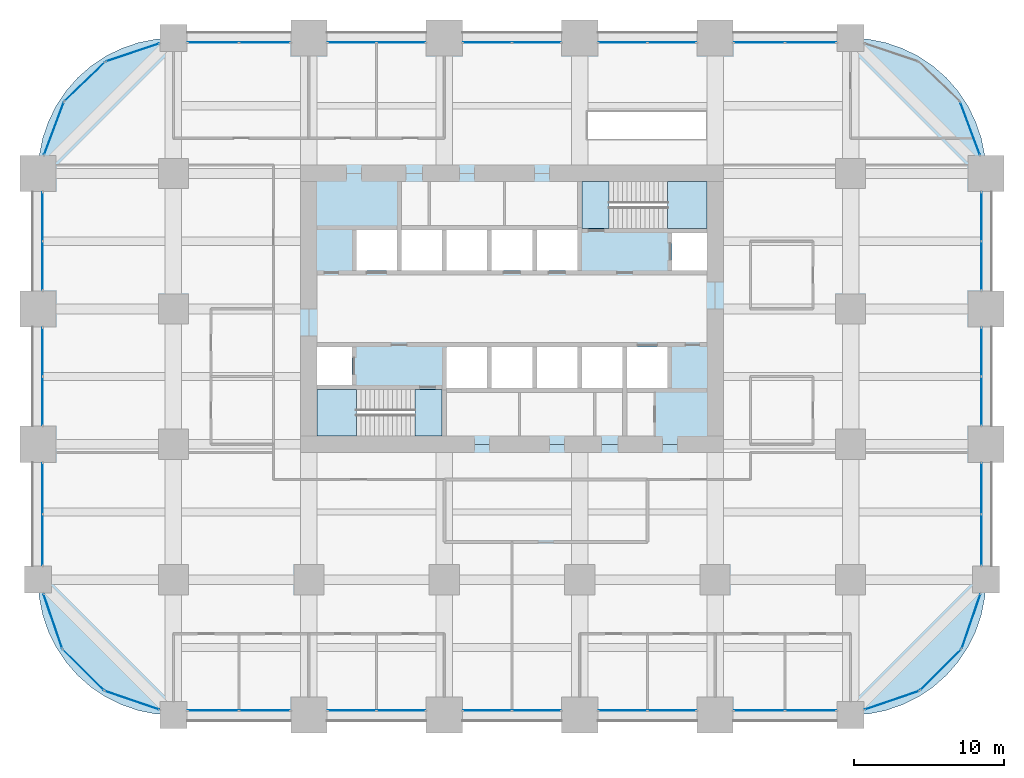
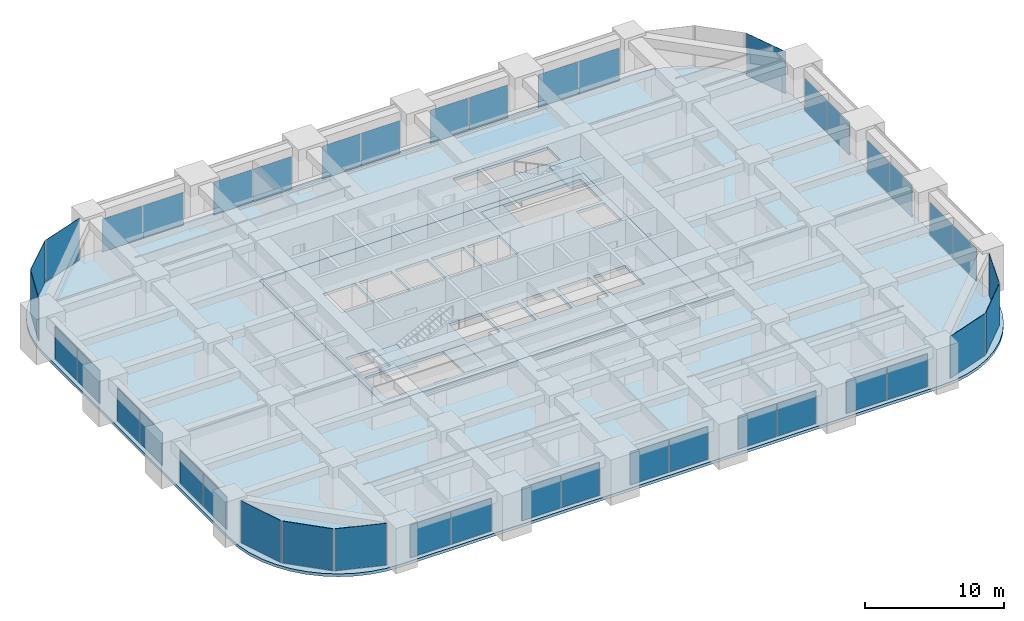
# One storey, part 35 of 41: 42 plates, 6 slabs, 28 elements without a shape of their own.
"""IFC4 building model written with IfcOpenShell, lengths in metres."""

from ifc_helpers import new_model, si_unit, direction, frame, origin, origin_2d, place, context, subcontext, project, spatial, polyline, rectangle, outline, extrude, material, layer, layer_set, type_object, element, aggregate, save


model = new_model("IFC4")

# Units and contexts
model_context = context("Model", 3, precision=1e-05, world=origin(), true_north=direction((0.0, 1.0)))
body_context = subcontext(model_context, "Body", "Model", "MODEL_VIEW")
ifc_project = project(units=[si_unit("LENGTHUNIT", "METRE"), si_unit("AREAUNIT", "SQUARE_METRE"), si_unit("VOLUMEUNIT", "CUBIC_METRE"), si_unit("PLANEANGLEUNIT", "RADIAN"), si_unit("MASSUNIT", "GRAM", prefix="KILO")], contexts=[model_context])

# Site, building, storey
site_placement = place(None, origin())
site = spatial("IfcSite", under=ifc_project, at=site_placement, CompositionType="ELEMENT")
building_placement = place(site_placement, origin())
building = spatial("IfcBuilding", under=site, at=building_placement, Name="Zorevar Civic Tower", CompositionType="ELEMENT")
storey_placement = place(building_placement, frame((0.0, 0.0, 101.0)))
storey = spatial("IfcBuildingStorey", under=building, at=storey_placement, Name="L24", CompositionType="ELEMENT", Elevation=101.0)

# Curtain wall, plates
ifc_material_1 = material(Name="Dark grey solar-control glass in black aluminium frame", Category="aluminium")
curtain_wall_type = type_object("IfcCurtainWallType", Name="Curtain wall CW3 mid zone", PredefinedType="NOTDEFINED", material=ifc_material_1)
curtain_wall_1_placement = place(storey_placement, origin())
curtain_wall_1 = element("IfcCurtainWall", 1, at=curtain_wall_1_placement, inside=storey, type_object=curtain_wall_type, Name="CW3 L24", PredefinedType="NOTDEFINED")
ifc_material_2 = material(Name="Dark grey solar-control glass", Category="glass")
ifc_layer_1 = layer(ifc_material_2, 0.030029296875)
ifc_layer_set_1 = layer_set([ifc_layer_1], Name="CW3 panel 30")
plate_type = type_object("IfcPlateType", Name="CW3 panel 30", PredefinedType="CURTAIN_PANEL", material=ifc_layer_set_1)
plate_1_placement = place(storey_placement, frame((11.639892578125, 0.300048828125, 0.06005859375), z_axis=(0.0, 0.0, 1.0), x_axis=(1.0, 0.0, 0.0)))
plate_1 = element("IfcPlate", 2, at=plate_1_placement, type_object=plate_type, Name="CW3 panel 1.1", PredefinedType="CURTAIN_PANEL", context=body_context, shape_type="SweptSolid", body=[
    extrude(rectangle(XDim=3.360107421875, YDim=0.030029296875, at=origin_2d()), origin(), (0.0, 0.0, 1.0), 2.889892578125),
])
plate_2_placement = place(storey_placement, frame((15.06005859375, 0.300048828125, 0.06005859375), z_axis=(0.0, 0.0, 1.0), x_axis=(1.0, 0.0, 0.0)))
plate_2 = element("IfcPlate", 3, at=plate_2_placement, type_object=plate_type, Name="CW3 panel 2.1", PredefinedType="CURTAIN_PANEL", context=body_context, shape_type="SweptSolid", body=[
    extrude(rectangle(XDim=3.360107421875, YDim=0.030029296875, at=origin_2d()), origin(), (0.0, 0.0, 1.0), 2.889892578125),
])
aggregate(curtain_wall_1, [plate_1, plate_2])

curtain_wall_2_placement = place(storey_placement, origin())
curtain_wall_2 = element("IfcCurtainWall", 4, at=curtain_wall_2_placement, inside=storey, type_object=curtain_wall_type, Name="CW3 L24", PredefinedType="NOTDEFINED")
plate_3_placement = place(storey_placement, frame((11.639892578125, 44.699951171875, 0.06005859375), z_axis=(0.0, 0.0, 1.0), x_axis=(1.0, 0.0, 0.0)))
plate_3 = element("IfcPlate", 5, at=plate_3_placement, type_object=plate_type, Name="CW3 panel 1.1", PredefinedType="CURTAIN_PANEL", context=body_context, shape_type="SweptSolid", body=[
    extrude(rectangle(XDim=3.360107421875, YDim=0.030029296875, at=origin_2d()), origin(), (0.0, 0.0, 1.0), 2.889892578125),
])
plate_4_placement = place(storey_placement, frame((15.06005859375, 44.699951171875, 0.06005859375), z_axis=(0.0, 0.0, 1.0), x_axis=(1.0, 0.0, 0.0)))
plate_4 = element("IfcPlate", 6, at=plate_4_placement, type_object=plate_type, Name="CW3 panel 2.1", PredefinedType="CURTAIN_PANEL", context=body_context, shape_type="SweptSolid", body=[
    extrude(rectangle(XDim=3.360107421875, YDim=0.030029296875, at=origin_2d()), origin(), (0.0, 0.0, 1.0), 2.889892578125),
])
aggregate(curtain_wall_2, [plate_3, plate_4])

curtain_wall_3_placement = place(storey_placement, origin())
curtain_wall_3 = element("IfcCurtainWall", 7, at=curtain_wall_3_placement, inside=storey, type_object=curtain_wall_type, Name="CW3 L24", PredefinedType="NOTDEFINED")
plate_5_placement = place(storey_placement, frame((20.864990234375, 0.300048828125, 0.06005859375), z_axis=(0.0, 0.0, 1.0), x_axis=(1.0, 0.0, 0.0)))
plate_5 = element("IfcPlate", 8, at=plate_5_placement, type_object=plate_type, Name="CW3 panel 1.1", PredefinedType="CURTAIN_PANEL", context=body_context, shape_type="SweptSolid", body=[
    extrude(rectangle(XDim=3.2099609375, YDim=0.030029296875, at=origin_2d()), origin(), (0.0, 0.0, 1.0), 2.889892578125),
])
plate_6_placement = place(storey_placement, frame((24.135009765625, 0.300048828125, 0.06005859375), z_axis=(0.0, 0.0, 1.0), x_axis=(1.0, 0.0, 0.0)))
plate_6 = element("IfcPlate", 9, at=plate_6_placement, type_object=plate_type, Name="CW3 panel 2.1", PredefinedType="CURTAIN_PANEL", context=body_context, shape_type="SweptSolid", body=[
    extrude(rectangle(XDim=3.2099609375, YDim=0.030029296875, at=origin_2d()), origin(), (0.0, 0.0, 1.0), 2.889892578125),
])
aggregate(curtain_wall_3, [plate_5, plate_6])

curtain_wall_4_placement = place(storey_placement, origin())
curtain_wall_4 = element("IfcCurtainWall", 10, at=curtain_wall_4_placement, inside=storey, type_object=curtain_wall_type, Name="CW3 L24", PredefinedType="NOTDEFINED")
plate_7_placement = place(storey_placement, frame((20.864990234375, 44.699951171875, 0.06005859375), z_axis=(0.0, 0.0, 1.0), x_axis=(1.0, 0.0, 0.0)))
plate_7 = element("IfcPlate", 11, at=plate_7_placement, type_object=plate_type, Name="CW3 panel 1.1", PredefinedType="CURTAIN_PANEL", context=body_context, shape_type="SweptSolid", body=[
    extrude(rectangle(XDim=3.2099609375, YDim=0.030029296875, at=origin_2d()), origin(), (0.0, 0.0, 1.0), 2.889892578125),
])
plate_8_placement = place(storey_placement, frame((24.135009765625, 44.699951171875, 0.06005859375), z_axis=(0.0, 0.0, 1.0), x_axis=(1.0, 0.0, 0.0)))
plate_8 = element("IfcPlate", 12, at=plate_8_placement, type_object=plate_type, Name="CW3 panel 2.1", PredefinedType="CURTAIN_PANEL", context=body_context, shape_type="SweptSolid", body=[
    extrude(rectangle(XDim=3.2099609375, YDim=0.030029296875, at=origin_2d()), origin(), (0.0, 0.0, 1.0), 2.889892578125),
])
aggregate(curtain_wall_4, [plate_7, plate_8])

curtain_wall_5_placement = place(storey_placement, origin())
curtain_wall_5 = element("IfcCurtainWall", 13, at=curtain_wall_5_placement, inside=storey, type_object=curtain_wall_type, Name="CW3 L24", PredefinedType="NOTDEFINED")
plate_9_placement = place(storey_placement, frame((29.864990234375, 0.300048828125, 0.06005859375), z_axis=(0.0, 0.0, 1.0), x_axis=(1.0, 0.0, 0.0)))
plate_9 = element("IfcPlate", 14, at=plate_9_placement, type_object=plate_type, Name="CW3 panel 1.1", PredefinedType="CURTAIN_PANEL", context=body_context, shape_type="SweptSolid", body=[
    extrude(rectangle(XDim=3.2099609375, YDim=0.030029296875, at=origin_2d()), origin(), (0.0, 0.0, 1.0), 2.889892578125),
])
plate_10_placement = place(storey_placement, frame((33.135009765625, 0.300048828125, 0.06005859375), z_axis=(0.0, 0.0, 1.0), x_axis=(1.0, 0.0, 0.0)))
plate_10 = element("IfcPlate", 15, at=plate_10_placement, type_object=plate_type, Name="CW3 panel 2.1", PredefinedType="CURTAIN_PANEL", context=body_context, shape_type="SweptSolid", body=[
    extrude(rectangle(XDim=3.2099609375, YDim=0.030029296875, at=origin_2d()), origin(), (0.0, 0.0, 1.0), 2.889892578125),
])
aggregate(curtain_wall_5, [plate_9, plate_10])

curtain_wall_6_placement = place(storey_placement, origin())
curtain_wall_6 = element("IfcCurtainWall", 16, at=curtain_wall_6_placement, inside=storey, type_object=curtain_wall_type, Name="CW3 L24", PredefinedType="NOTDEFINED")
plate_11_placement = place(storey_placement, frame((29.864990234375, 44.699951171875, 0.06005859375), z_axis=(0.0, 0.0, 1.0), x_axis=(1.0, 0.0, 0.0)))
plate_11 = element("IfcPlate", 17, at=plate_11_placement, type_object=plate_type, Name="CW3 panel 1.1", PredefinedType="CURTAIN_PANEL", context=body_context, shape_type="SweptSolid", body=[
    extrude(rectangle(XDim=3.2099609375, YDim=0.030029296875, at=origin_2d()), origin(), (0.0, 0.0, 1.0), 2.889892578125),
])
plate_12_placement = place(storey_placement, frame((33.135009765625, 44.699951171875, 0.06005859375), z_axis=(0.0, 0.0, 1.0), x_axis=(1.0, 0.0, 0.0)))
plate_12 = element("IfcPlate", 18, at=plate_12_placement, type_object=plate_type, Name="CW3 panel 2.1", PredefinedType="CURTAIN_PANEL", context=body_context, shape_type="SweptSolid", body=[
    extrude(rectangle(XDim=3.2099609375, YDim=0.030029296875, at=origin_2d()), origin(), (0.0, 0.0, 1.0), 2.889892578125),
])
aggregate(curtain_wall_6, [plate_11, plate_12])

curtain_wall_7_placement = place(storey_placement, origin())
curtain_wall_7 = element("IfcCurtainWall", 19, at=curtain_wall_7_placement, inside=storey, type_object=curtain_wall_type, Name="CW3 L24", PredefinedType="NOTDEFINED")
plate_13_placement = place(storey_placement, frame((38.864990234375, 0.300048828125, 0.06005859375), z_axis=(0.0, 0.0, 1.0), x_axis=(1.0, 0.0, 0.0)))
plate_13 = element("IfcPlate", 20, at=plate_13_placement, type_object=plate_type, Name="CW3 panel 1.1", PredefinedType="CURTAIN_PANEL", context=body_context, shape_type="SweptSolid", body=[
    extrude(rectangle(XDim=3.2099609375, YDim=0.030029296875, at=origin_2d()), origin(), (0.0, 0.0, 1.0), 2.889892578125),
])
plate_14_placement = place(storey_placement, frame((42.135009765625, 0.300048828125, 0.06005859375), z_axis=(0.0, 0.0, 1.0), x_axis=(1.0, 0.0, 0.0)))
plate_14 = element("IfcPlate", 21, at=plate_14_placement, type_object=plate_type, Name="CW3 panel 2.1", PredefinedType="CURTAIN_PANEL", context=body_context, shape_type="SweptSolid", body=[
    extrude(rectangle(XDim=3.2099609375, YDim=0.030029296875, at=origin_2d()), origin(), (0.0, 0.0, 1.0), 2.889892578125),
])
aggregate(curtain_wall_7, [plate_13, plate_14])

curtain_wall_8_placement = place(storey_placement, origin())
curtain_wall_8 = element("IfcCurtainWall", 22, at=curtain_wall_8_placement, inside=storey, type_object=curtain_wall_type, Name="CW3 L24", PredefinedType="NOTDEFINED")
plate_15_placement = place(storey_placement, frame((38.864990234375, 44.699951171875, 0.06005859375), z_axis=(0.0, 0.0, 1.0), x_axis=(1.0, 0.0, 0.0)))
plate_15 = element("IfcPlate", 23, at=plate_15_placement, type_object=plate_type, Name="CW3 panel 1.1", PredefinedType="CURTAIN_PANEL", context=body_context, shape_type="SweptSolid", body=[
    extrude(rectangle(XDim=3.2099609375, YDim=0.030029296875, at=origin_2d()), origin(), (0.0, 0.0, 1.0), 2.889892578125),
])
plate_16_placement = place(storey_placement, frame((42.135009765625, 44.699951171875, 0.06005859375), z_axis=(0.0, 0.0, 1.0), x_axis=(1.0, 0.0, 0.0)))
plate_16 = element("IfcPlate", 24, at=plate_16_placement, type_object=plate_type, Name="CW3 panel 2.1", PredefinedType="CURTAIN_PANEL", context=body_context, shape_type="SweptSolid", body=[
    extrude(rectangle(XDim=3.2099609375, YDim=0.030029296875, at=origin_2d()), origin(), (0.0, 0.0, 1.0), 2.889892578125),
])
aggregate(curtain_wall_8, [plate_15, plate_16])

curtain_wall_9_placement = place(storey_placement, origin())
curtain_wall_9 = element("IfcCurtainWall", 25, at=curtain_wall_9_placement, inside=storey, type_object=curtain_wall_type, Name="CW3 L24", PredefinedType="NOTDEFINED")
plate_17_placement = place(storey_placement, frame((47.93994140625, 0.300048828125, 0.06005859375), z_axis=(0.0, 0.0, 1.0), x_axis=(1.0, 0.0, 0.0)))
plate_17 = element("IfcPlate", 26, at=plate_17_placement, type_object=plate_type, Name="CW3 panel 1.1", PredefinedType="CURTAIN_PANEL", context=body_context, shape_type="SweptSolid", body=[
    extrude(rectangle(XDim=3.360107421875, YDim=0.030029296875, at=origin_2d()), origin(), (0.0, 0.0, 1.0), 2.889892578125),
])
plate_18_placement = place(storey_placement, frame((51.360107421875, 0.300048828125, 0.06005859375), z_axis=(0.0, 0.0, 1.0), x_axis=(1.0, 0.0, 0.0)))
plate_18 = element("IfcPlate", 27, at=plate_18_placement, type_object=plate_type, Name="CW3 panel 2.1", PredefinedType="CURTAIN_PANEL", context=body_context, shape_type="SweptSolid", body=[
    extrude(rectangle(XDim=3.360107421875, YDim=0.030029296875, at=origin_2d()), origin(), (0.0, 0.0, 1.0), 2.889892578125),
])
aggregate(curtain_wall_9, [plate_17, plate_18])

curtain_wall_10_placement = place(storey_placement, origin())
curtain_wall_10 = element("IfcCurtainWall", 28, at=curtain_wall_10_placement, inside=storey, type_object=curtain_wall_type, Name="CW3 L24", PredefinedType="NOTDEFINED")
plate_19_placement = place(storey_placement, frame((47.93994140625, 44.699951171875, 0.06005859375), z_axis=(0.0, 0.0, 1.0), x_axis=(1.0, 0.0, 0.0)))
plate_19 = element("IfcPlate", 29, at=plate_19_placement, type_object=plate_type, Name="CW3 panel 1.1", PredefinedType="CURTAIN_PANEL", context=body_context, shape_type="SweptSolid", body=[
    extrude(rectangle(XDim=3.360107421875, YDim=0.030029296875, at=origin_2d()), origin(), (0.0, 0.0, 1.0), 2.889892578125),
])
plate_20_placement = place(storey_placement, frame((51.360107421875, 44.699951171875, 0.06005859375), z_axis=(0.0, 0.0, 1.0), x_axis=(1.0, 0.0, 0.0)))
plate_20 = element("IfcPlate", 30, at=plate_20_placement, type_object=plate_type, Name="CW3 panel 2.1", PredefinedType="CURTAIN_PANEL", context=body_context, shape_type="SweptSolid", body=[
    extrude(rectangle(XDim=3.360107421875, YDim=0.030029296875, at=origin_2d()), origin(), (0.0, 0.0, 1.0), 2.889892578125),
])
aggregate(curtain_wall_10, [plate_19, plate_20])

curtain_wall_11_placement = place(storey_placement, origin())
curtain_wall_11 = element("IfcCurtainWall", 31, at=curtain_wall_11_placement, inside=storey, type_object=curtain_wall_type, Name="CW3 L24", PredefinedType="NOTDEFINED")
plate_21_placement = place(storey_placement, frame((0.300048828125, 11.639892578125, 0.06005859375), z_axis=(0.0, 0.0, 1.0), x_axis=(0.0, 1.0, 0.0)))
plate_21 = element("IfcPlate", 32, at=plate_21_placement, type_object=plate_type, Name="CW3 panel 1.1", PredefinedType="CURTAIN_PANEL", context=body_context, shape_type="SweptSolid", body=[
    extrude(rectangle(XDim=3.360107421875, YDim=0.030029296875, at=origin_2d()), origin(), (0.0, 0.0, 1.0), 2.889892578125),
])
plate_22_placement = place(storey_placement, frame((0.300048828125, 15.06005859375, 0.06005859375), z_axis=(0.0, 0.0, 1.0), x_axis=(0.0, 1.0, 0.0)))
plate_22 = element("IfcPlate", 33, at=plate_22_placement, type_object=plate_type, Name="CW3 panel 2.1", PredefinedType="CURTAIN_PANEL", context=body_context, shape_type="SweptSolid", body=[
    extrude(rectangle(XDim=3.360107421875, YDim=0.030029296875, at=origin_2d()), origin(), (0.0, 0.0, 1.0), 2.889892578125),
])
aggregate(curtain_wall_11, [plate_21, plate_22])

curtain_wall_12_placement = place(storey_placement, origin())
curtain_wall_12 = element("IfcCurtainWall", 34, at=curtain_wall_12_placement, inside=storey, type_object=curtain_wall_type, Name="CW3 L24", PredefinedType="NOTDEFINED")
plate_23_placement = place(storey_placement, frame((62.699951171875, 11.639892578125, 0.06005859375), z_axis=(0.0, 0.0, 1.0), x_axis=(0.0, 1.0, 0.0)))
plate_23 = element("IfcPlate", 35, at=plate_23_placement, type_object=plate_type, Name="CW3 panel 1.1", PredefinedType="CURTAIN_PANEL", context=body_context, shape_type="SweptSolid", body=[
    extrude(rectangle(XDim=3.360107421875, YDim=0.030029296875, at=origin_2d()), origin(), (0.0, 0.0, 1.0), 2.889892578125),
])
plate_24_placement = place(storey_placement, frame((62.699951171875, 15.06005859375, 0.06005859375), z_axis=(0.0, 0.0, 1.0), x_axis=(0.0, 1.0, 0.0)))
plate_24 = element("IfcPlate", 36, at=plate_24_placement, type_object=plate_type, Name="CW3 panel 2.1", PredefinedType="CURTAIN_PANEL", context=body_context, shape_type="SweptSolid", body=[
    extrude(rectangle(XDim=3.360107421875, YDim=0.030029296875, at=origin_2d()), origin(), (0.0, 0.0, 1.0), 2.889892578125),
])
aggregate(curtain_wall_12, [plate_23, plate_24])

curtain_wall_13_placement = place(storey_placement, origin())
curtain_wall_13 = element("IfcCurtainWall", 37, at=curtain_wall_13_placement, inside=storey, type_object=curtain_wall_type, Name="CW3 L24", PredefinedType="NOTDEFINED")
plate_25_placement = place(storey_placement, frame((0.300048828125, 20.864990234375, 0.06005859375), z_axis=(0.0, 0.0, 1.0), x_axis=(0.0, 1.0, 0.0)))
plate_25 = element("IfcPlate", 38, at=plate_25_placement, type_object=plate_type, Name="CW3 panel 1.1", PredefinedType="CURTAIN_PANEL", context=body_context, shape_type="SweptSolid", body=[
    extrude(rectangle(XDim=3.2099609375, YDim=0.030029296875, at=origin_2d()), origin(), (0.0, 0.0, 1.0), 2.889892578125),
])
plate_26_placement = place(storey_placement, frame((0.300048828125, 24.135009765625, 0.06005859375), z_axis=(0.0, 0.0, 1.0), x_axis=(0.0, 1.0, 0.0)))
plate_26 = element("IfcPlate", 39, at=plate_26_placement, type_object=plate_type, Name="CW3 panel 2.1", PredefinedType="CURTAIN_PANEL", context=body_context, shape_type="SweptSolid", body=[
    extrude(rectangle(XDim=3.2099609375, YDim=0.030029296875, at=origin_2d()), origin(), (0.0, 0.0, 1.0), 2.889892578125),
])
aggregate(curtain_wall_13, [plate_25, plate_26])

curtain_wall_14_placement = place(storey_placement, origin())
curtain_wall_14 = element("IfcCurtainWall", 40, at=curtain_wall_14_placement, inside=storey, type_object=curtain_wall_type, Name="CW3 L24", PredefinedType="NOTDEFINED")
plate_27_placement = place(storey_placement, frame((62.699951171875, 20.864990234375, 0.06005859375), z_axis=(0.0, 0.0, 1.0), x_axis=(0.0, 1.0, 0.0)))
plate_27 = element("IfcPlate", 41, at=plate_27_placement, type_object=plate_type, Name="CW3 panel 1.1", PredefinedType="CURTAIN_PANEL", context=body_context, shape_type="SweptSolid", body=[
    extrude(rectangle(XDim=3.2099609375, YDim=0.030029296875, at=origin_2d()), origin(), (0.0, 0.0, 1.0), 2.889892578125),
])
plate_28_placement = place(storey_placement, frame((62.699951171875, 24.135009765625, 0.06005859375), z_axis=(0.0, 0.0, 1.0), x_axis=(0.0, 1.0, 0.0)))
plate_28 = element("IfcPlate", 42, at=plate_28_placement, type_object=plate_type, Name="CW3 panel 2.1", PredefinedType="CURTAIN_PANEL", context=body_context, shape_type="SweptSolid", body=[
    extrude(rectangle(XDim=3.2099609375, YDim=0.030029296875, at=origin_2d()), origin(), (0.0, 0.0, 1.0), 2.889892578125),
])
aggregate(curtain_wall_14, [plate_27, plate_28])

curtain_wall_15_placement = place(storey_placement, origin())
curtain_wall_15 = element("IfcCurtainWall", 43, at=curtain_wall_15_placement, inside=storey, type_object=curtain_wall_type, Name="CW3 L24", PredefinedType="NOTDEFINED")
plate_29_placement = place(storey_placement, frame((0.300048828125, 29.864990234375, 0.06005859375), z_axis=(0.0, 0.0, 1.0), x_axis=(0.0, 1.0, 0.0)))
plate_29 = element("IfcPlate", 44, at=plate_29_placement, type_object=plate_type, Name="CW3 panel 1.1", PredefinedType="CURTAIN_PANEL", context=body_context, shape_type="SweptSolid", body=[
    extrude(rectangle(XDim=3.2099609375, YDim=0.030029296875, at=origin_2d()), origin(), (0.0, 0.0, 1.0), 2.889892578125),
])
plate_30_placement = place(storey_placement, frame((0.300048828125, 33.135009765625, 0.06005859375), z_axis=(0.0, 0.0, 1.0), x_axis=(0.0, 1.0, 0.0)))
plate_30 = element("IfcPlate", 45, at=plate_30_placement, type_object=plate_type, Name="CW3 panel 2.1", PredefinedType="CURTAIN_PANEL", context=body_context, shape_type="SweptSolid", body=[
    extrude(rectangle(XDim=3.2099609375, YDim=0.030029296875, at=origin_2d()), origin(), (0.0, 0.0, 1.0), 2.889892578125),
])
aggregate(curtain_wall_15, [plate_29, plate_30])

curtain_wall_16_placement = place(storey_placement, origin())
curtain_wall_16 = element("IfcCurtainWall", 46, at=curtain_wall_16_placement, inside=storey, type_object=curtain_wall_type, Name="CW3 L24", PredefinedType="NOTDEFINED")
plate_31_placement = place(storey_placement, frame((62.699951171875, 29.864990234375, 0.06005859375), z_axis=(0.0, 0.0, 1.0), x_axis=(0.0, 1.0, 0.0)))
plate_31 = element("IfcPlate", 47, at=plate_31_placement, type_object=plate_type, Name="CW3 panel 1.1", PredefinedType="CURTAIN_PANEL", context=body_context, shape_type="SweptSolid", body=[
    extrude(rectangle(XDim=3.2099609375, YDim=0.030029296875, at=origin_2d()), origin(), (0.0, 0.0, 1.0), 2.889892578125),
])
plate_32_placement = place(storey_placement, frame((62.699951171875, 33.135009765625, 0.06005859375), z_axis=(0.0, 0.0, 1.0), x_axis=(0.0, 1.0, 0.0)))
plate_32 = element("IfcPlate", 48, at=plate_32_placement, type_object=plate_type, Name="CW3 panel 2.1", PredefinedType="CURTAIN_PANEL", context=body_context, shape_type="SweptSolid", body=[
    extrude(rectangle(XDim=3.2099609375, YDim=0.030029296875, at=origin_2d()), origin(), (0.0, 0.0, 1.0), 2.889892578125),
])
aggregate(curtain_wall_16, [plate_31, plate_32])

# Curtain wall, plate
curtain_wall_17_placement = place(storey_placement, origin())
curtain_wall_17 = element("IfcCurtainWall", 49, at=curtain_wall_17_placement, inside=storey, type_object=curtain_wall_type, Name="CW3 L24", PredefinedType="NOTDEFINED")
plate_33_placement = place(storey_placement, frame((56.75390625, 0.9833984375, 0.06005859375), z_axis=(0.0, 0.0, 1.0), x_axis=(0.945755772794, 0.324878466857, 0.0)))
plate_33 = element("IfcPlate", 50, at=plate_33_placement, type_object=plate_type, Name="CW3 panel 1.1", PredefinedType="CURTAIN_PANEL", context=body_context, shape_type="SweptSolid", body=[
    extrude(rectangle(XDim=3.80029296875, YDim=0.030029296875, at=origin_2d()), origin(), (0.0, 0.0, 1.0), 3.68994140625),
])
aggregate(curtain_wall_17, [plate_33])

curtain_wall_18_placement = place(storey_placement, origin())
curtain_wall_18 = element("IfcCurtainWall", 51, at=curtain_wall_18_placement, inside=storey, type_object=curtain_wall_type, Name="CW3 L24", PredefinedType="NOTDEFINED")
plate_34_placement = place(storey_placement, frame((59.99365234375, 3.00634765625, 0.06005859375), z_axis=(0.0, 0.0, 1.0), x_axis=(0.707106781187, 0.707106781187, 0.0)))
plate_34 = element("IfcPlate", 52, at=plate_34_placement, type_object=plate_type, Name="CW3 panel 1.1", PredefinedType="CURTAIN_PANEL", context=body_context, shape_type="SweptSolid", body=[
    extrude(rectangle(XDim=3.80029296875, YDim=0.030029296875, at=origin_2d()), origin(), (0.0, 0.0, 1.0), 3.68994140625),
])
aggregate(curtain_wall_18, [plate_34])

curtain_wall_19_placement = place(storey_placement, origin())
curtain_wall_19 = element("IfcCurtainWall", 53, at=curtain_wall_19_placement, inside=storey, type_object=curtain_wall_type, Name="CW3 L24", PredefinedType="NOTDEFINED")
plate_35_placement = place(storey_placement, frame((62.0166015625, 6.24609375, 0.06005859375), z_axis=(0.0, 0.0, 1.0), x_axis=(0.324878466857, 0.945755772794, 0.0)))
plate_35 = element("IfcPlate", 54, at=plate_35_placement, type_object=plate_type, Name="CW3 panel 1.1", PredefinedType="CURTAIN_PANEL", context=body_context, shape_type="SweptSolid", body=[
    extrude(rectangle(XDim=3.80029296875, YDim=0.030029296875, at=origin_2d()), origin(), (0.0, 0.0, 1.0), 3.68994140625),
])
aggregate(curtain_wall_19, [plate_35])

curtain_wall_20_placement = place(storey_placement, origin())
curtain_wall_20 = element("IfcCurtainWall", 55, at=curtain_wall_20_placement, inside=storey, type_object=curtain_wall_type, Name="CW3 L24", PredefinedType="NOTDEFINED")
plate_36_placement = place(storey_placement, frame((61.94384765625, 38.988525390625, 0.06005859375), z_axis=(0.0, 0.0, 1.0), x_axis=(-0.352131520999, 0.935950528564, 0.0)))
plate_36 = element("IfcPlate", 56, at=plate_36_placement, type_object=plate_type, Name="CW3 panel 1.1", PredefinedType="CURTAIN_PANEL", context=body_context, shape_type="SweptSolid", body=[
    extrude(rectangle(XDim=3.7021484375, YDim=0.030029296875, at=origin_2d()), origin(), (0.0, 0.0, 1.0), 3.68994140625),
])
aggregate(curtain_wall_20, [plate_36])

curtain_wall_21_placement = place(storey_placement, origin())
curtain_wall_21 = element("IfcCurtainWall", 57, at=curtain_wall_21_placement, inside=storey, type_object=curtain_wall_type, Name="CW3 L24", PredefinedType="NOTDEFINED")
plate_37_placement = place(storey_placement, frame((6.2890625, 44.04296875, 0.06005859375), z_axis=(0.0, 0.0, 1.0), x_axis=(-0.947615765406, -0.319412525043, 0.0)))
plate_37 = element("IfcPlate", 58, at=plate_37_placement, type_object=plate_type, Name="CW3 panel 1.1", PredefinedType="CURTAIN_PANEL", context=body_context, shape_type="SweptSolid", body=[
    extrude(rectangle(XDim=3.7021484375, YDim=0.030029296875, at=origin_2d()), origin(), (0.0, 0.0, 1.0), 3.68994140625),
])
aggregate(curtain_wall_21, [plate_37])

curtain_wall_22_placement = place(storey_placement, origin())
curtain_wall_22 = element("IfcCurtainWall", 59, at=curtain_wall_22_placement, inside=storey, type_object=curtain_wall_type, Name="CW3 L24", PredefinedType="NOTDEFINED")
plate_38_placement = place(storey_placement, frame((3.103515625, 42.10498046875, 0.06005859375), z_axis=(0.0, 0.0, 1.0), x_axis=(-0.719281160023, -0.694719089155, 0.0)))
plate_38 = element("IfcPlate", 60, at=plate_38_placement, type_object=plate_type, Name="CW3 panel 1.1", PredefinedType="CURTAIN_PANEL", context=body_context, shape_type="SweptSolid", body=[
    extrude(rectangle(XDim=3.7021484375, YDim=0.030029296875, at=origin_2d()), origin(), (0.0, 0.0, 1.0), 3.68994140625),
])
aggregate(curtain_wall_22, [plate_38])

curtain_wall_23_placement = place(storey_placement, origin())
curtain_wall_23 = element("IfcCurtainWall", 61, at=curtain_wall_23_placement, inside=storey, type_object=curtain_wall_type, Name="CW3 L24", PredefinedType="NOTDEFINED")
plate_39_placement = place(storey_placement, frame((1.05615234375, 38.988525390625, 0.06005859375), z_axis=(0.0, 0.0, 1.0), x_axis=(-0.352131520999, -0.935950528564, 0.0)))
plate_39 = element("IfcPlate", 62, at=plate_39_placement, type_object=plate_type, Name="CW3 panel 1.1", PredefinedType="CURTAIN_PANEL", context=body_context, shape_type="SweptSolid", body=[
    extrude(rectangle(XDim=3.7021484375, YDim=0.030029296875, at=origin_2d()), origin(), (0.0, 0.0, 1.0), 3.68994140625),
])
aggregate(curtain_wall_23, [plate_39])

curtain_wall_24_placement = place(storey_placement, origin())
curtain_wall_24 = element("IfcCurtainWall", 63, at=curtain_wall_24_placement, inside=storey, type_object=curtain_wall_type, Name="CW3 L24", PredefinedType="NOTDEFINED")
plate_40_placement = place(storey_placement, frame((0.9833984375, 6.24609375, 0.06005859375), z_axis=(0.0, 0.0, 1.0), x_axis=(0.324878466857, -0.945755772794, 0.0)))
plate_40 = element("IfcPlate", 64, at=plate_40_placement, type_object=plate_type, Name="CW3 panel 1.1", PredefinedType="CURTAIN_PANEL", context=body_context, shape_type="SweptSolid", body=[
    extrude(rectangle(XDim=3.80029296875, YDim=0.030029296875, at=origin_2d()), origin(), (0.0, 0.0, 1.0), 3.68994140625),
])
aggregate(curtain_wall_24, [plate_40])

curtain_wall_25_placement = place(storey_placement, origin())
curtain_wall_25 = element("IfcCurtainWall", 65, at=curtain_wall_25_placement, inside=storey, type_object=curtain_wall_type, Name="CW3 L24", PredefinedType="NOTDEFINED")
plate_41_placement = place(storey_placement, frame((3.00634765625, 3.00634765625, 0.06005859375), z_axis=(0.0, 0.0, 1.0), x_axis=(0.707106781187, -0.707106781187, 0.0)))
plate_41 = element("IfcPlate", 66, at=plate_41_placement, type_object=plate_type, Name="CW3 panel 1.1", PredefinedType="CURTAIN_PANEL", context=body_context, shape_type="SweptSolid", body=[
    extrude(rectangle(XDim=3.80029296875, YDim=0.030029296875, at=origin_2d()), origin(), (0.0, 0.0, 1.0), 3.68994140625),
])
aggregate(curtain_wall_25, [plate_41])

curtain_wall_26_placement = place(storey_placement, origin())
curtain_wall_26 = element("IfcCurtainWall", 67, at=curtain_wall_26_placement, inside=storey, type_object=curtain_wall_type, Name="CW3 L24", PredefinedType="NOTDEFINED")
plate_42_placement = place(storey_placement, frame((6.24609375, 0.9833984375, 0.06005859375), z_axis=(0.0, 0.0, 1.0), x_axis=(0.945755772794, -0.324878466857, 0.0)))
plate_42 = element("IfcPlate", 68, at=plate_42_placement, type_object=plate_type, Name="CW3 panel 1.1", PredefinedType="CURTAIN_PANEL", context=body_context, shape_type="SweptSolid", body=[
    extrude(rectangle(XDim=3.80029296875, YDim=0.030029296875, at=origin_2d()), origin(), (0.0, 0.0, 1.0), 3.68994140625),
])
aggregate(curtain_wall_26, [plate_42])

# Slabs
ifc_material_3 = material(Name="Concrete C40/50", Category="concrete")
ifc_layer_2 = layer(ifc_material_3, 0.25)
ifc_layer_set_2 = layer_set([ifc_layer_2], Name="Floor slab 250")
slab_type_1 = type_object("IfcSlabType", Name="Floor slab 250", PredefinedType="FLOOR", material=ifc_layer_set_2)
slab_1_placement = place(storey_placement, frame((0.0, 0.0, -0.25)))
element("IfcSlab", 69, at=slab_1_placement, inside=storey, type_object=slab_type_1, Name="Floor slab L24", PredefinedType="FLOOR", context=body_context, shape_type="SweptSolid", body=[
    extrude(outline(polyline([(54.0, 0.0), (55.1748046875, 0.076904296875), (56.329345703125, 0.306640625), (57.444091796875, 0.68505859375), (58.5, 1.205810546875), (59.478759765625, 1.85986328125), (60.364013671875, 2.635986328125), (61.14013671875, 3.521240234375), (61.794189453125, 4.5), (62.31494140625, 5.555908203125), (62.693359375, 6.670654296875), (62.923095703125, 7.8251953125), (63.0, 9.0), (63.0, 36.0), (62.923095703125, 37.1748046875), (62.693359375, 38.329345703125), (62.31494140625, 39.444091796875), (61.794189453125, 40.5), (61.14013671875, 41.478759765625), (60.364013671875, 42.364013671875), (59.478759765625, 43.14013671875), (58.5, 43.794189453125), (57.444091796875, 44.31494140625), (56.329345703125, 44.693359375), (55.1748046875, 44.923095703125), (54.0, 45.0), (9.0, 45.0), (7.8251953125, 44.923095703125), (6.670654296875, 44.693359375), (5.555908203125, 44.31494140625), (4.5, 43.794189453125), (3.521240234375, 43.14013671875), (2.635986328125, 42.364013671875), (1.85986328125, 41.478759765625), (1.205810546875, 40.5), (0.68505859375, 39.444091796875), (0.306640625, 38.329345703125), (0.076904296875, 37.1748046875), (0.0, 36.0), (0.0, 9.0), (0.076904296875, 7.8251953125), (0.306640625, 6.670654296875), (0.68505859375, 5.555908203125), (1.205810546875, 4.5), (1.85986328125, 3.521240234375), (2.635986328125, 2.635986328125), (3.521240234375, 1.85986328125), (4.5, 1.205810546875), (5.555908203125, 0.68505859375), (6.670654296875, 0.306640625), (7.8251953125, 0.076904296875), (9.0, 0.0), (54.0, 0.0)]), holes=[polyline([(18.0, 18.0), (45.0, 18.0), (45.0, 36.0), (18.0, 36.0), (18.0, 18.0)]), polyline([(36.5, 38.300048828125), (44.39990234375, 38.300048828125), (44.39990234375, 40.10009765625), (36.5, 40.10009765625), (36.5, 38.300048828125)])]), origin(), (0.0, 0.0, 1.0), 0.25),
])
slab_2_placement = place(storey_placement, frame((0.0, 0.0, -0.25)))
element("IfcSlab", 70, at=slab_2_placement, inside=storey, type_object=slab_type_1, Name="Core floor L24", PredefinedType="FLOOR", context=body_context, shape_type="SweptSolid", body=[
    extrude(outline(polyline([(18.0, 18.0), (45.0, 18.0), (45.0, 36.0), (18.0, 36.0), (18.0, 18.0)]), holes=[polyline([(18.550048828125, 18.550048828125), (26.85009765625, 18.550048828125), (26.85009765625, 21.64990234375), (18.550048828125, 21.64990234375), (18.550048828125, 18.550048828125)]), polyline([(36.14990234375, 32.35009765625), (44.449951171875, 32.35009765625), (44.449951171875, 35.449951171875), (36.14990234375, 35.449951171875), (36.14990234375, 32.35009765625)]), polyline([(18.550048828125, 21.949951171875), (20.85009765625, 21.949951171875), (20.85009765625, 24.449951171875), (18.550048828125, 24.449951171875), (18.550048828125, 21.949951171875)]), polyline([(42.14990234375, 29.550048828125), (44.449951171875, 29.550048828125), (44.449951171875, 32.050048828125), (42.14990234375, 32.050048828125), (42.14990234375, 29.550048828125)]), polyline([(27.14990234375, 21.75), (29.85009765625, 21.75), (29.85009765625, 24.449951171875), (27.14990234375, 24.449951171875), (27.14990234375, 21.75)]), polyline([(33.14990234375, 29.550048828125), (35.85009765625, 29.550048828125), (35.85009765625, 32.25), (33.14990234375, 32.25), (33.14990234375, 29.550048828125)]), polyline([(30.14990234375, 21.75), (32.85009765625, 21.75), (32.85009765625, 24.449951171875), (30.14990234375, 24.449951171875), (30.14990234375, 21.75)]), polyline([(30.14990234375, 29.550048828125), (32.85009765625, 29.550048828125), (32.85009765625, 32.25), (30.14990234375, 32.25), (30.14990234375, 29.550048828125)]), polyline([(33.14990234375, 21.75), (35.85009765625, 21.75), (35.85009765625, 24.449951171875), (33.14990234375, 24.449951171875), (33.14990234375, 21.75)]), polyline([(27.14990234375, 29.550048828125), (29.85009765625, 29.550048828125), (29.85009765625, 32.25), (27.14990234375, 32.25), (27.14990234375, 29.550048828125)]), polyline([(36.14990234375, 21.75), (38.85009765625, 21.75), (38.85009765625, 24.449951171875), (36.14990234375, 24.449951171875), (36.14990234375, 21.75)]), polyline([(24.14990234375, 29.550048828125), (26.85009765625, 29.550048828125), (26.85009765625, 32.25), (24.14990234375, 32.25), (24.14990234375, 29.550048828125)]), polyline([(39.14990234375, 21.75), (41.85009765625, 21.75), (41.85009765625, 24.449951171875), (39.14990234375, 24.449951171875), (39.14990234375, 21.75)]), polyline([(21.14990234375, 29.550048828125), (23.85009765625, 29.550048828125), (23.85009765625, 32.25), (21.14990234375, 32.25), (21.14990234375, 29.550048828125)])]), origin(), (0.0, 0.0, 1.0), 0.25),
])

# Stair, slabs
ifc_material_4 = material(Name="Precast concrete C40/50", Category="concrete")
stair_type = type_object("IfcStairType", Name="Stair ST 28R", PredefinedType="HALF_TURN_STAIR", material=ifc_material_4)
stair_1_placement = place(storey_placement, origin())
stair_1 = element("IfcStair", 71, at=stair_1_placement, inside=storey, type_object=stair_type, Name="Stair ST1 L24", PredefinedType="HALF_TURN_STAIR")
ifc_material_5 = material(Name="Concrete C40/50", Category="concrete")
ifc_layer_3 = layer(ifc_material_5, 0.199951171875)
ifc_layer_set_3 = layer_set([ifc_layer_3], Name="Stair landing 200")
slab_type_2 = type_object("IfcSlabType", Name="Stair landing 200", PredefinedType="LANDING", material=ifc_layer_set_3)
slab_3_placement = place(storey_placement, frame((0.0, 0.0, -0.199951171875)))
slab_3 = element("IfcSlab", 72, at=slab_3_placement, type_object=slab_type_2, Name="ST1 landing 1", PredefinedType="LANDING", context=body_context, shape_type="SweptSolid", body=[
    extrude(outline(polyline([(25.050048828125, 18.550048828125), (26.85009765625, 18.550048828125), (26.85009765625, 21.64990234375), (25.050048828125, 21.64990234375), (25.050048828125, 18.550048828125)])), origin(), (0.0, 0.0, 1.0), 0.199951171875),
])
slab_4_placement = place(storey_placement, frame((0.0, 0.0, 1.800048828125)))
slab_4 = element("IfcSlab", 73, at=slab_4_placement, type_object=slab_type_2, Name="ST1 landing 2", PredefinedType="LANDING", context=body_context, shape_type="SweptSolid", body=[
    extrude(outline(polyline([(18.550048828125, 18.550048828125), (21.14990234375, 18.550048828125), (21.14990234375, 21.64990234375), (18.550048828125, 21.64990234375), (18.550048828125, 18.550048828125)])), origin(), (0.0, 0.0, 1.0), 0.199951171875),
])
aggregate(stair_1, [slab_3, slab_4])

stair_2_placement = place(storey_placement, origin())
stair_2 = element("IfcStair", 74, at=stair_2_placement, inside=storey, type_object=stair_type, Name="Stair ST2 L24", PredefinedType="HALF_TURN_STAIR")
slab_5_placement = place(storey_placement, frame((0.0, 0.0, -0.199951171875)))
slab_5 = element("IfcSlab", 75, at=slab_5_placement, type_object=slab_type_2, Name="ST2 landing 1", PredefinedType="LANDING", context=body_context, shape_type="SweptSolid", body=[
    extrude(outline(polyline([(37.949951171875, 32.35009765625), (36.14990234375, 32.35009765625), (36.14990234375, 35.449951171875), (37.949951171875, 35.449951171875), (37.949951171875, 32.35009765625)])), origin(), (0.0, 0.0, 1.0), 0.199951171875),
])
slab_6_placement = place(storey_placement, frame((0.0, 0.0, 1.800048828125)))
slab_6 = element("IfcSlab", 76, at=slab_6_placement, type_object=slab_type_2, Name="ST2 landing 2", PredefinedType="LANDING", context=body_context, shape_type="SweptSolid", body=[
    extrude(outline(polyline([(44.449951171875, 32.35009765625), (41.85009765625, 32.35009765625), (41.85009765625, 35.449951171875), (44.449951171875, 35.449951171875), (44.449951171875, 32.35009765625)])), origin(), (0.0, 0.0, 1.0), 0.199951171875),
])
aggregate(stair_2, [slab_5, slab_6])

save(model, "model.ifc")
